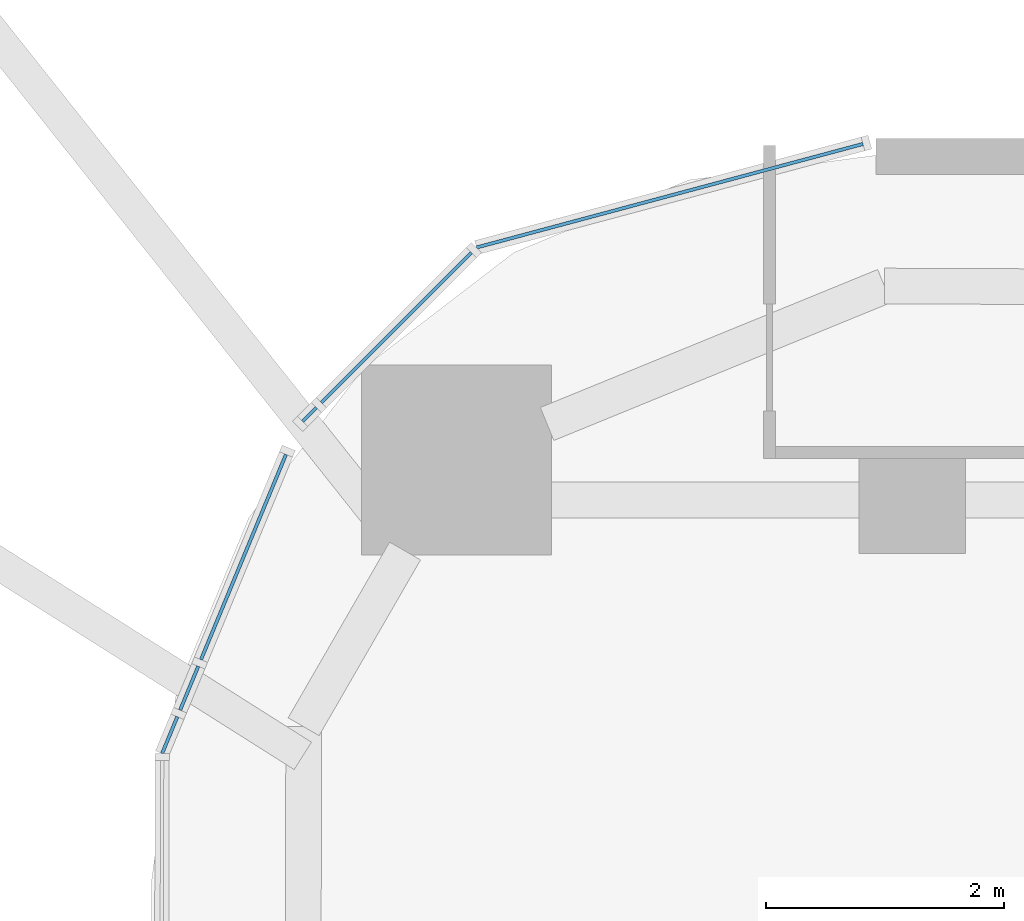
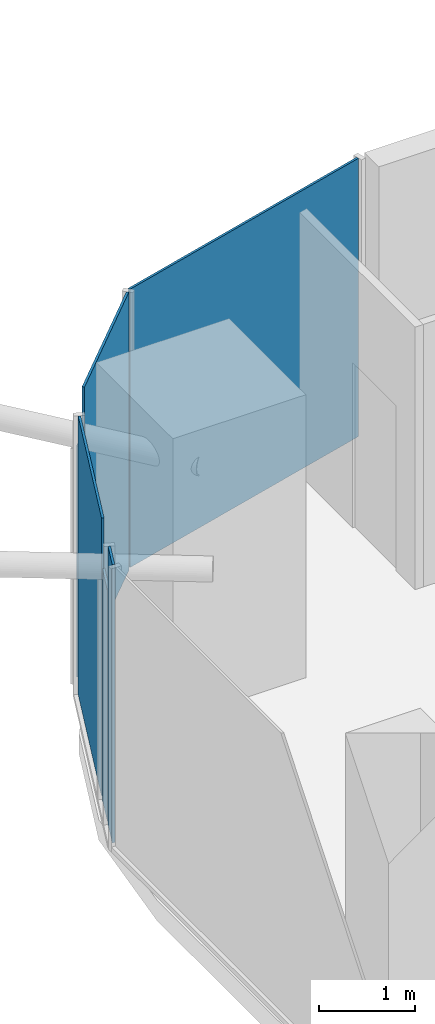
# One storey, part 25 of 36: 6 plates, 6 elements without a shape of their own.
"""IFC4 building model written with IfcOpenShell, lengths in metres."""

from ifc_helpers import new_model, si_unit, direction, frame, origin, origin_2d, place, context, subcontext, project, spatial, rectangle, extrude, material, layer, layer_set, type_object, element, aggregate, save


model = new_model("IFC4")

# Units and contexts
model_context = context("Model", 3, precision=1e-05, world=origin(), true_north=direction((0.0, 1.0)))
body_context = subcontext(model_context, "Body", "Model", "MODEL_VIEW")
ifc_project = project(units=[si_unit("LENGTHUNIT", "METRE"), si_unit("AREAUNIT", "SQUARE_METRE"), si_unit("VOLUMEUNIT", "CUBIC_METRE"), si_unit("PLANEANGLEUNIT", "RADIAN"), si_unit("MASSUNIT", "GRAM", prefix="KILO")], contexts=[model_context])

# Site, building, storey
site_placement = place(None, origin())
site = spatial("IfcSite", under=ifc_project, at=site_placement, CompositionType="ELEMENT")
building_placement = place(site_placement, origin())
building = spatial("IfcBuilding", under=site, at=building_placement, Name="Marenta Gate Hotel Tower", CompositionType="ELEMENT")
storey_placement = place(building_placement, frame((0.0, 0.0, 144.5)))
storey = spatial("IfcBuildingStorey", under=building, at=storey_placement, Name="L33", CompositionType="ELEMENT", Elevation=144.5)

# Curtain wall, plate
ifc_material_1 = material(Name="Tinted insulated glass in bronze anodised frame", Category="glass")
ifc_layer_1 = layer(ifc_material_1, 0.1201171875)
ifc_layer_set_1 = layer_set([ifc_layer_1], Name="Tinted insulated glass in bronze anodised frame")
curtain_wall_type = type_object("IfcCurtainWallType", Name="Tower unitised curtain wall CW1", PredefinedType="NOTDEFINED", material=ifc_layer_set_1)
curtain_wall_1_placement = place(storey_placement, origin())
curtain_wall_1 = element("IfcCurtainWall", 1, at=curtain_wall_1_placement, inside=storey, type_object=curtain_wall_type, Name="CW1 run G00", PredefinedType="NOTDEFINED")
ifc_material_2 = material(Name="Tinted insulated glass", Category="glass")
ifc_layer_2 = layer(ifc_material_2, 0.028076171875)
ifc_layer_set_2 = layer_set([ifc_layer_2], Name="Tinted insulated glass")
plate_type = type_object("IfcPlateType", Name="Glass panel CW1 28 mm tinted insulated unit", PredefinedType="CURTAIN_PANEL", material=ifc_layer_set_2)
plate_1_placement = place(storey_placement, frame((-23.04052734375, 27.759765625, 0.06005859375), z_axis=(0.0, 0.0, 1.0), x_axis=(-0.96593059835, -0.258801234873, 0.0)))
plate_1 = element("IfcPlate", 2, at=plate_1_placement, type_object=plate_type, Name="CW1 panel 1.1", PredefinedType="CURTAIN_PANEL", context=body_context, shape_type="SweptSolid", body=[
    extrude(rectangle(XDim=3.366943359375, YDim=0.028076171875, at=origin_2d()), origin(), (0.0, 0.0, 1.0), 3.5400390625),
])
aggregate(curtain_wall_1, [plate_1])

curtain_wall_2_placement = place(storey_placement, origin())
curtain_wall_2 = element("IfcCurtainWall", 3, at=curtain_wall_2_placement, inside=storey, type_object=curtain_wall_type, Name="CW1 run G01", PredefinedType="NOTDEFINED")
plate_2_placement = place(storey_placement, frame((-25.340087890625, 26.650634765625, 0.06005859375), z_axis=(0.0, 0.0, 1.0), x_axis=(-0.707106781187, -0.707106781187, 0.0)))
plate_2 = element("IfcPlate", 4, at=plate_2_placement, type_object=plate_type, Name="CW1 panel 1.1", PredefinedType="CURTAIN_PANEL", context=body_context, shape_type="SweptSolid", body=[
    extrude(rectangle(XDim=1.784912109375, YDim=0.028076171875, at=origin_2d()), origin(), (0.0, 0.0, 1.0), 3.5400390625),
])
aggregate(curtain_wall_2, [plate_2])

curtain_wall_3_placement = place(storey_placement, origin())
curtain_wall_3 = element("IfcCurtainWall", 5, at=curtain_wall_3_placement, inside=storey, type_object=curtain_wall_type, Name="CW1 run G02", PredefinedType="NOTDEFINED")
plate_3_placement = place(storey_placement, frame((-26.07177734375, 25.9189453125, 0.06005859375), z_axis=(0.0, 0.0, 1.0), x_axis=(-0.707106781187, -0.707106781187, 0.0)))
plate_3 = element("IfcPlate", 6, at=plate_3_placement, type_object=plate_type, Name="CW1 panel 1.1", PredefinedType="CURTAIN_PANEL", context=body_context, shape_type="SweptSolid", body=[
    extrude(rectangle(XDim=0.164306640625, YDim=0.028076171875, at=origin_2d()), origin(), (0.0, 0.0, 1.0), 2.9404296875),
])
aggregate(curtain_wall_3, [plate_3])

curtain_wall_4_placement = place(storey_placement, origin())
curtain_wall_4 = element("IfcCurtainWall", 7, at=curtain_wall_4_placement, inside=storey, type_object=curtain_wall_type, Name="CW1 run G03", PredefinedType="NOTDEFINED")
plate_4_placement = place(storey_placement, frame((-26.627685546875, 24.71923828125, 0.06005859375), z_axis=(0.0, 0.0, 1.0), x_axis=(-0.382693564371, -0.923875335632, 0.0)))
plate_4 = element("IfcPlate", 8, at=plate_4_placement, type_object=plate_type, Name="CW1 panel 1.1", PredefinedType="CURTAIN_PANEL", context=body_context, shape_type="SweptSolid", body=[
    extrude(rectangle(XDim=1.869384765625, YDim=0.028076171875, at=origin_2d()), origin(), (0.0, 0.0, 1.0), 3.5400390625),
])
aggregate(curtain_wall_4, [plate_4])

curtain_wall_5_placement = place(storey_placement, origin())
curtain_wall_5 = element("IfcCurtainWall", 9, at=curtain_wall_5_placement, inside=storey, type_object=curtain_wall_type, Name="CW1 run G04", PredefinedType="NOTDEFINED")
plate_5_placement = place(storey_placement, frame((-27.084716796875, 23.615478515625, 0.06005859375), z_axis=(0.0, 0.0, 1.0), x_axis=(-0.382838458625, -0.923815303293, 0.0)))
plate_5 = element("IfcPlate", 10, at=plate_5_placement, type_object=plate_type, Name="CW1 panel 1.1", PredefinedType="CURTAIN_PANEL", context=body_context, shape_type="SweptSolid", body=[
    extrude(rectangle(XDim=0.399658203125, YDim=0.028076171875, at=origin_2d()), origin(), (0.0, 0.0, 1.0), 2.9404296875),
])
aggregate(curtain_wall_5, [plate_5])

curtain_wall_6_placement = place(storey_placement, origin())
curtain_wall_6 = element("IfcCurtainWall", 11, at=curtain_wall_6_placement, inside=storey, type_object=curtain_wall_type, Name="CW1 run G05", PredefinedType="NOTDEFINED")
plate_6_placement = place(storey_placement, frame((-27.248291015625, 23.220947265625, 0.06005859375), z_axis=(0.0, 0.0, 1.0), x_axis=(-0.382456188848, -0.923973627119, 0.0)))
plate_6 = element("IfcPlate", 12, at=plate_6_placement, type_object=plate_type, Name="CW1 panel 1.1", PredefinedType="CURTAIN_PANEL", context=body_context, shape_type="SweptSolid", body=[
    extrude(rectangle(XDim=0.334716796875, YDim=0.028076171875, at=origin_2d()), origin(), (0.0, 0.0, 1.0), 3.5400390625),
])
aggregate(curtain_wall_6, [plate_6])

save(model, "model.ifc")
